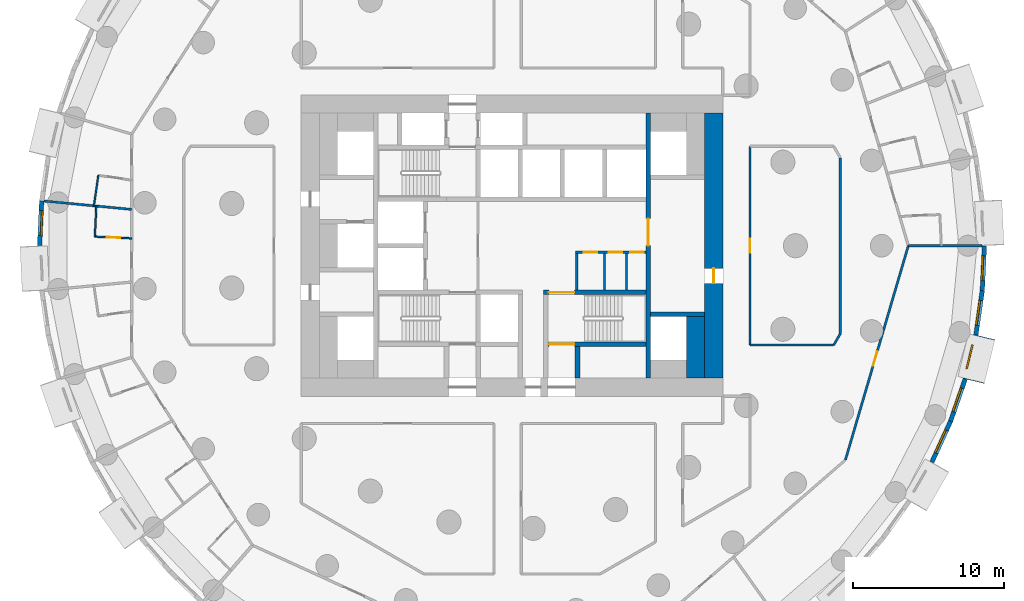
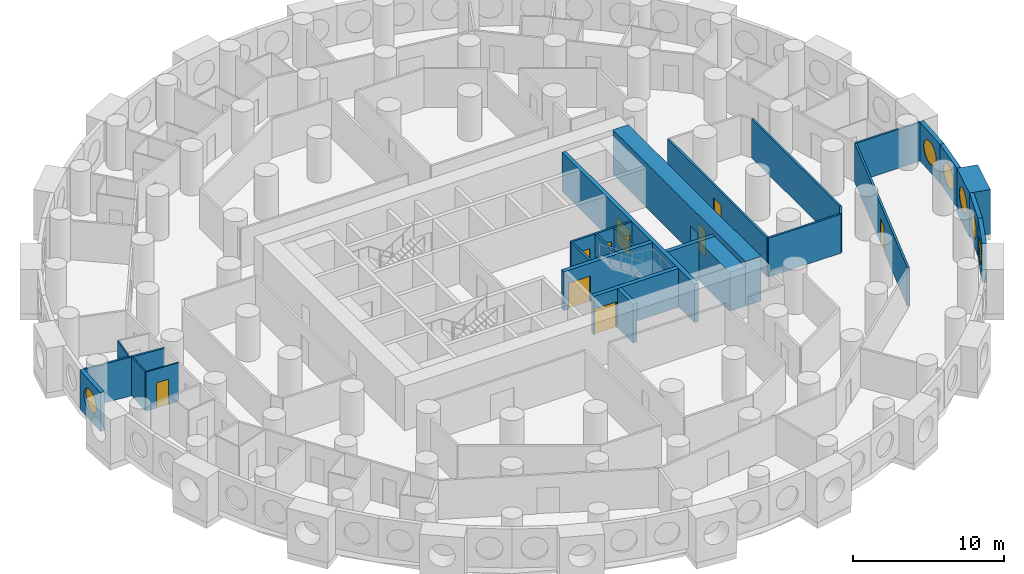
# One storey, part 6 of 12: 27 walls, 10 doors, 6 windows, 16 openings.
"""IFC4 building model written with IfcOpenShell, lengths in metres."""

from ifc_helpers import new_model, si_unit, direction, frame, frame_2d, origin, origin_2d, place, context, subcontext, project, spatial, rectangle, circle, extrude, material, layer, layer_set, type_object, element, fill, save


model = new_model("IFC4")

# Units and contexts
model_context = context("Model", 3, precision=1e-05, world=origin(), true_north=direction((0.0, 1.0)))
body_context = subcontext(model_context, "Body", "Model", "MODEL_VIEW")
ifc_project = project(units=[si_unit("LENGTHUNIT", "METRE"), si_unit("AREAUNIT", "SQUARE_METRE"), si_unit("VOLUMEUNIT", "CUBIC_METRE"), si_unit("PLANEANGLEUNIT", "RADIAN"), si_unit("MASSUNIT", "GRAM", prefix="KILO")], contexts=[model_context])

# Site, building, storey
site_placement = place(None, origin())
site = spatial("IfcSite", under=ifc_project, at=site_placement, CompositionType="ELEMENT")
building_placement = place(site_placement, origin())
building = spatial("IfcBuilding", under=site, at=building_placement, Name="Tracery Tower", CompositionType="ELEMENT")
storey_placement = place(building_placement, frame((0.0, 0.0, 28.199951171875)))
storey = spatial("IfcBuildingStorey", under=building, at=storey_placement, Name="L05", CompositionType="ELEMENT", Elevation=28.199951171875)

# Wall
ifc_material_1 = material(Name="Plasterboard on steel studs", Category="steel")
ifc_layer_1 = layer(ifc_material_1, 0.14990234375)
ifc_layer_set_1 = layer_set([ifc_layer_1], Name="Core room partition 150")
wall_type_1 = type_object("IfcWallType", Name="Core room partition 150", PredefinedType="SOLIDWALL", material=ifc_layer_set_1)
wall_1_placement = place(storey_placement, frame((4.300048828125, -2.949951171875, 0.0), z_axis=(0.0, 0.0, 1.0), x_axis=(0.0, 1.0, 0.0)))
element("IfcWall", 1, at=wall_1_placement, inside=storey, type_object=wall_type_1, Name="L05 slot W", PredefinedType="SOLIDWALL", context=body_context, shape_type="SweptSolid", body=[
    extrude(rectangle(XDim=2.449951171875, YDim=0.14990234375, at=frame_2d((1.22509765625, 0.0))), origin(), (0.0, 0.0, 1.0), 3.150146484375),
])

# Wall, openings, doors
wall_2_placement = place(storey_placement, frame((4.22509765625, -0.425048828125, 0.0), z_axis=(0.0, 0.0, 1.0), x_axis=(1.0, 0.0, 0.0)))
wall_2 = element("IfcWall", 2, at=wall_2_placement, inside=storey, type_object=wall_type_1, Name="L05 slot N", PredefinedType="SOLIDWALL", context=body_context, shape_type="SweptSolid", body=[
    extrude(rectangle(XDim=4.6748046875, YDim=0.14990234375, at=frame_2d((2.33740234375, 0.0))), origin(), (0.0, 0.0, 1.0), 3.150146484375),
])
opening_1_placement = place(wall_2_placement, frame((0.550048828125, 0.0, 0.0)))
opening_1 = element("IfcOpeningElement", 3, at=opening_1_placement, cuts=wall_2, Name="Opening KD22", PredefinedType="OPENING", context=body_context, shape_type="SweptSolid", body=[
    extrude(rectangle(XDim=0.89990234375, YDim=2.10009765625, at=frame_2d((0.449951171875, 1.050048828125))), frame((0.0, 0.074951171875, 0.0), z_axis=(0.0, -1.0, 0.0), x_axis=(1.0, 0.0, 0.0)), (0.0, 0.0, 1.0), 0.14990234375),
])
opening_2_placement = place(wall_2_placement, frame((2.199951171875, 0.0, 0.0)))
opening_2 = element("IfcOpeningElement", 4, at=opening_2_placement, cuts=wall_2, Name="Opening KD26", PredefinedType="OPENING", context=body_context, shape_type="SweptSolid", body=[
    extrude(rectangle(XDim=0.89990234375, YDim=2.10009765625, at=frame_2d((0.449951171875, 1.050048828125))), frame((0.0, 0.074951171875, 0.0), z_axis=(0.0, -1.0, 0.0), x_axis=(1.0, 0.0, 0.0)), (0.0, 0.0, 1.0), 0.14990234375),
])
opening_3_placement = place(wall_2_placement, frame((3.612548828125, 0.0, 0.0)))
opening_3 = element("IfcOpeningElement", 5, at=opening_3_placement, cuts=wall_2, Name="Opening KD27", PredefinedType="OPENING", context=body_context, shape_type="SweptSolid", body=[
    extrude(rectangle(XDim=0.89990234375, YDim=2.10009765625, at=frame_2d((0.449951171875, 1.050048828125))), frame((0.0, 0.074951171875, 0.0), z_axis=(0.0, -1.0, 0.0), x_axis=(1.0, 0.0, 0.0)), (0.0, 0.0, 1.0), 0.14990234375),
])
ifc_material_2 = material(Name="Timber door leaf", Category="wood")
door_type_1 = type_object("IfcDoorType", Name="Core WC door 900", OperationType="NOTDEFINED", PredefinedType="DOOR", material=ifc_material_2)
door_1_placement = place(opening_1_placement, origin())
door_1 = element("IfcDoor", 6, at=door_1_placement, inside=storey, type_object=door_type_1, Name="Core door", OperationType="SINGLE_SWING_RIGHT", OverallHeight=2.10009765625, OverallWidth=0.89990234375, PredefinedType="DOOR", context=body_context, shape_type="SweptSolid", body=[
    extrude(rectangle(XDim=0.89990234375, YDim=2.10009765625, at=frame_2d((0.449951171875, 1.050048828125))), frame((0.0, 0.02490234375, 0.0), z_axis=(0.0, -1.0, 0.0), x_axis=(1.0, 0.0, 0.0)), (0.0, 0.0, 1.0), 0.050048828125),
])
fill(opening_1, door_1)
ifc_material_3 = material(Name="Timber door leaf", Category="wood")
door_type_2 = type_object("IfcDoorType", Name="Core store door 900", OperationType="NOTDEFINED", PredefinedType="DOOR", material=ifc_material_3)
door_2_placement = place(opening_2_placement, origin())
door_2 = element("IfcDoor", 7, at=door_2_placement, inside=storey, type_object=door_type_2, Name="Core door", OperationType="SINGLE_SWING_LEFT", OverallHeight=2.10009765625, OverallWidth=0.89990234375, PredefinedType="DOOR", context=body_context, shape_type="SweptSolid", body=[
    extrude(rectangle(XDim=0.89990234375, YDim=2.10009765625, at=frame_2d((0.449951171875, 1.050048828125))), frame((0.0, 0.02490234375, 0.0), z_axis=(0.0, -1.0, 0.0), x_axis=(1.0, 0.0, 0.0)), (0.0, 0.0, 1.0), 0.050048828125),
])
fill(opening_2, door_2)
door_3_placement = place(opening_3_placement, origin())
door_3 = element("IfcDoor", 8, at=door_3_placement, inside=storey, type_object=door_type_2, Name="Core door", OperationType="SINGLE_SWING_RIGHT", OverallHeight=2.10009765625, OverallWidth=0.89990234375, PredefinedType="DOOR", context=body_context, shape_type="SweptSolid", body=[
    extrude(rectangle(XDim=0.89990234375, YDim=2.10009765625, at=frame_2d((0.449951171875, 1.050048828125))), frame((0.0, 0.02490234375, 0.0), z_axis=(0.0, -1.0, 0.0), x_axis=(1.0, 0.0, 0.0)), (0.0, 0.0, 1.0), 0.050048828125),
])
fill(opening_3, door_3)

# Walls
for number, where, z_axis, x_axis, name in (
    (9, (6.14990234375, -2.949951171875, 0.0), (0.0, 0.0, 1.0), (0.0, 1.0, 0.0), "L05 slot sep 1"),
    (10, (7.60009765625, -2.949951171875, 0.0), (0.0, 0.0, 1.0), (0.0, 1.0, 0.0), "L05 slot sep 2"),
):
    element("IfcWall", number, at=place(storey_placement, frame(where, z_axis=z_axis, x_axis=x_axis)), inside=storey, type_object=wall_type_1, Name=name, PredefinedType="SOLIDWALL", context=body_context, shape_type="SweptSolid", body=[
        extrude(rectangle(XDim=2.449951171875, YDim=0.14990234375, at=frame_2d((1.22509765625, 0.0))), origin(), (0.0, 0.0, 1.0), 3.150146484375),
    ])
ifc_material_4 = material(Name="Concrete C60/75", Category="concrete")
ifc_layer_2 = layer(ifc_material_4, 1.199951171875)
ifc_layer_set_2 = layer_set([ifc_layer_2], Name="Core strip wall 1200 C60")
wall_type_2 = type_object("IfcWallType", Name="Core strip wall 1200 C60", PredefinedType="SOLIDWALL", material=ifc_layer_set_2)
wall_3_placement = place(storey_placement, frame((12.199951171875, -8.800048828125, 0.0), z_axis=(0.0, 0.0, 1.0), x_axis=(0.0, 1.0, 0.0)))
element("IfcWall", 11, at=wall_3_placement, inside=storey, type_object=wall_type_2, Name="L05 wing strip +1 -9.4", PredefinedType="SOLIDWALL", context=body_context, shape_type="SweptSolid", body=[
    extrude(rectangle(XDim=4.10009765625, YDim=1.199951171875, at=frame_2d((2.050048828125, 0.0))), origin(), (0.0, 0.0, 1.0), 3.150146484375),
])

# Wall, opening, door
ifc_material_5 = material(Name="Concrete C60/75", Category="concrete")
ifc_layer_3 = layer(ifc_material_5, 1.199951171875)
ifc_layer_set_3 = layer_set([ifc_layer_3], Name="Core wall 1200 C60")
wall_type_3 = type_object("IfcWallType", Name="Core wall 1200 C60", PredefinedType="SOLIDWALL", material=ifc_layer_set_3)
wall_4_placement = place(storey_placement, frame((13.39990234375, -8.800048828125, 0.0), z_axis=(0.0, 0.0, 1.0), x_axis=(0.0, 1.0, 0.0)))
wall_4 = element("IfcWall", 12, at=wall_4_placement, inside=storey, type_object=wall_type_3, Name="L05 outer E", PredefinedType="SOLIDWALL", context=body_context, shape_type="SweptSolid", body=[
    extrude(rectangle(XDim=17.60009765625, YDim=1.199951171875, at=frame_2d((8.800048828125, 0.0))), origin(), (0.0, 0.0, 1.0), 3.60009765625),
])
opening_4_placement = place(wall_4_placement, frame((6.300048828125, 0.0, 0.0)))
opening_4 = element("IfcOpeningElement", 13, at=opening_4_placement, cuts=wall_4, Name="Opening KD18", PredefinedType="OPENING", context=body_context, shape_type="SweptSolid", body=[
    extrude(rectangle(XDim=1.0, YDim=2.10009765625, at=frame_2d((0.5, 1.050048828125))), frame((0.0, 0.60009765625, 0.0), z_axis=(0.0, -1.0, 0.0), x_axis=(1.0, 0.0, 0.0)), (0.0, 0.0, 1.0), 1.199951171875),
])
ifc_material_6 = material(Name="Steel fire door", Category="steel")
door_type_3 = type_object("IfcDoorType", Name="Core exit door 1000", OperationType="NOTDEFINED", PredefinedType="DOOR", material=ifc_material_6)
door_4_placement = place(opening_4_placement, origin())
door_4 = element("IfcDoor", 14, at=door_4_placement, inside=storey, type_object=door_type_3, Name="Core exit door", OperationType="DOUBLE_DOOR_SINGLE_SWING", OverallHeight=2.10009765625, OverallWidth=1.0, PredefinedType="DOOR", context=body_context, shape_type="SweptSolid", body=[
    extrude(rectangle(XDim=1.0, YDim=2.10009765625, at=frame_2d((0.5, 1.050048828125))), frame((0.0, 0.02490234375, 0.0), z_axis=(0.0, -1.0, 0.0), x_axis=(1.0, 0.0, 0.0)), (0.0, 0.0, 1.0), 0.050048828125),
])
fill(opening_4, door_4)

# Wall, opening, window
ifc_material_7 = material(Name="Precast concrete C50/60", Category="concrete")
ifc_layer_4 = layer(ifc_material_7, 1.449951171875)
ifc_layer_set_4 = layer_set([ifc_layer_4], Name="Deep-set bay unit 3000 x 3600, slab edge 450")
wall_type_4 = type_object("IfcWallType", Name="Deep-set bay unit 3000 x 3600, slab edge 450", PredefinedType="ELEMENTEDWALL", material=ifc_layer_set_4)
wall_5_placement = place(storey_placement, frame((30.66064453125, -8.981689453125, -0.449951171875), z_axis=(0.0, 0.0, 1.0), x_axis=(0.235751415068, 0.971813392732, 0.0)))
wall_5 = element("IfcWall", 15, at=wall_5_placement, inside=storey, type_object=wall_type_4, Name="Deep-set bay unit 64 at L05", PredefinedType="ELEMENTEDWALL", context=body_context, shape_type="SweptSolid", body=[
    extrude(rectangle(XDim=3.0, YDim=1.449951171875, at=frame_2d((1.5, 0.0))), origin(), (0.0, 0.0, 1.0), 3.60009765625),
])
opening_5_placement = place(wall_5_placement, frame((1.5, 0.0, 2.0)))
opening_5 = element("IfcOpeningElement", 16, at=opening_5_placement, cuts=wall_5, Name="Opening WN1", PredefinedType="OPENING", context=body_context, shape_type="SweptSolid", body=[
    extrude(circle(Radius=0.9000244140625, at=origin_2d()), frame((0.0, 0.73486328125, 0.0), z_axis=(0.0, -1.0, 0.0), x_axis=(1.0, 0.0, 0.0)), (0.0, 0.0, 1.0), 1.469970703125),
])
ifc_material_8 = material(Name="Aluminium frame with tinted double glazing", Category="aluminium")
window_type = type_object("IfcWindowType", Name="Round window 1800", PartitioningType="SINGLE_PANEL", PredefinedType="WINDOW", material=ifc_material_8)
window_1_placement = place(opening_5_placement, origin())
window_1 = element("IfcWindow", 17, at=window_1_placement, inside=storey, type_object=window_type, Name="Round window 64 at L05", OverallHeight=1.800048828125, OverallWidth=1.800048828125, PartitioningType="SINGLE_PANEL", PredefinedType="WINDOW", context=body_context, shape_type="SweptSolid", body=[
    extrude(circle(Radius=0.9000244140625, at=origin_2d()), frame((0.0, 0.69482421875, 0.0), z_axis=(0.0, -1.0, 0.0), x_axis=(1.0, 0.0, 0.0)), (0.0, 0.0, 1.0), 0.10009765625),
])
fill(opening_5, window_1)

ifc_material_9 = material(Name="Precast concrete C50/60", Category="concrete")
ifc_layer_5 = layer(ifc_material_9, 0.300048828125)
ifc_layer_set_5 = layer_set([ifc_layer_5], Name="Facade panel 3000 x 3150")
wall_type_5 = type_object("IfcWallType", Name="Facade panel 3000 x 3150", PredefinedType="SOLIDWALL", material=ifc_layer_set_5)
wall_6_placement = place(storey_placement, frame((-31.232421875, 2.982421875, 0.0), z_axis=(0.0, 0.0, 1.0), x_axis=(-0.047522328113, -0.998870175914, 0.0)))
wall_6 = element("IfcWall", 18, at=wall_6_placement, inside=storey, type_object=wall_type_5, Name="Facade panel 33 at L05", PredefinedType="SOLIDWALL", context=body_context, shape_type="SweptSolid", body=[
    extrude(rectangle(XDim=2.979736328125, YDim=0.300048828125, at=frame_2d((1.48974609375, 0.0))), origin(), (0.0, 0.0, 1.0), 3.150146484375),
])
opening_6_placement = place(wall_6_placement, frame((1.48974609375, 0.0, 1.5498046875)))
opening_6 = element("IfcOpeningElement", 19, at=opening_6_placement, cuts=wall_6, Name="Opening WN1", PredefinedType="OPENING", context=body_context, shape_type="SweptSolid", body=[
    extrude(circle(Radius=0.9000244140625, at=origin_2d()), frame((0.0, 0.159912109375, 0.0), z_axis=(0.0, -1.0, 0.0), x_axis=(1.0, 0.0, 0.0)), (0.0, 0.0, 1.0), 0.320068359375),
])
window_2_placement = place(opening_6_placement, origin())
window_2 = element("IfcWindow", 20, at=window_2_placement, inside=storey, type_object=window_type, Name="Round window 33 at L05", OverallHeight=1.800048828125, OverallWidth=1.800048828125, PartitioningType="SINGLE_PANEL", PredefinedType="WINDOW", context=body_context, shape_type="SweptSolid", body=[
    extrude(circle(Radius=0.9000244140625, at=origin_2d()), frame((0.0, 0.1201171875, 0.0), z_axis=(0.0, -1.0, 0.0), x_axis=(1.0, 0.0, 0.0)), (0.0, 0.0, 1.0), 0.10009765625),
])
fill(opening_6, window_2)

wall_7_placement = place(storey_placement, frame((27.88916015625, -14.37109375, 0.0), z_axis=(0.0, 0.0, 1.0), x_axis=(0.415407317162, 0.909635509888, 0.0)))
wall_7 = element("IfcWall", 21, at=wall_7_placement, inside=storey, type_object=wall_type_5, Name="Facade panel 62 at L05", PredefinedType="SOLIDWALL", context=body_context, shape_type="SweptSolid", body=[
    extrude(rectangle(XDim=2.979736328125, YDim=0.300048828125, at=frame_2d((1.48974609375, 0.0))), origin(), (0.0, 0.0, 1.0), 3.150146484375),
])
opening_7_placement = place(wall_7_placement, frame((1.48974609375, 0.0, 1.5498046875)))
opening_7 = element("IfcOpeningElement", 22, at=opening_7_placement, cuts=wall_7, Name="Opening WN1", PredefinedType="OPENING", context=body_context, shape_type="SweptSolid", body=[
    extrude(circle(Radius=0.9000244140625, at=origin_2d()), frame((0.0, 0.159912109375, 0.0), z_axis=(0.0, -1.0, 0.0), x_axis=(1.0, 0.0, 0.0)), (0.0, 0.0, 1.0), 0.320068359375),
])
window_3_placement = place(opening_7_placement, origin())
window_3 = element("IfcWindow", 23, at=window_3_placement, inside=storey, type_object=window_type, Name="Round window 62 at L05", OverallHeight=1.800048828125, OverallWidth=1.800048828125, PartitioningType="SINGLE_PANEL", PredefinedType="WINDOW", context=body_context, shape_type="SweptSolid", body=[
    extrude(circle(Radius=0.9000244140625, at=origin_2d()), frame((0.0, 0.1201171875, 0.0), z_axis=(0.0, -1.0, 0.0), x_axis=(1.0, 0.0, 0.0)), (0.0, 0.0, 1.0), 0.10009765625),
])
fill(opening_7, window_3)

wall_8_placement = place(storey_placement, frame((29.126953125, -11.66064453125, 0.0), z_axis=(0.0, 0.0, 1.0), x_axis=(0.327096492592, 0.944990944154, 0.0)))
wall_8 = element("IfcWall", 24, at=wall_8_placement, inside=storey, type_object=wall_type_5, Name="Facade panel 63 at L05", PredefinedType="SOLIDWALL", context=body_context, shape_type="SweptSolid", body=[
    extrude(rectangle(XDim=2.9794921875, YDim=0.300048828125, at=frame_2d((1.48974609375, 0.0))), origin(), (0.0, 0.0, 1.0), 3.150146484375),
])
opening_8_placement = place(wall_8_placement, frame((1.48974609375, 0.0, 1.5498046875)))
opening_8 = element("IfcOpeningElement", 25, at=opening_8_placement, cuts=wall_8, Name="Opening WN1", PredefinedType="OPENING", context=body_context, shape_type="SweptSolid", body=[
    extrude(circle(Radius=0.9000244140625, at=origin_2d()), frame((0.0, 0.159912109375, 0.0), z_axis=(0.0, -1.0, 0.0), x_axis=(1.0, 0.0, 0.0)), (0.0, 0.0, 1.0), 0.320068359375),
])
window_4_placement = place(opening_8_placement, origin())
window_4 = element("IfcWindow", 26, at=window_4_placement, inside=storey, type_object=window_type, Name="Round window 63 at L05", OverallHeight=1.800048828125, OverallWidth=1.800048828125, PartitioningType="SINGLE_PANEL", PredefinedType="WINDOW", context=body_context, shape_type="SweptSolid", body=[
    extrude(circle(Radius=0.9000244140625, at=origin_2d()), frame((0.0, 0.1201171875, 0.0), z_axis=(0.0, -1.0, 0.0), x_axis=(1.0, 0.0, 0.0)), (0.0, 0.0, 1.0), 0.10009765625),
])
fill(opening_8, window_4)

wall_9_placement = place(storey_placement, frame((30.808349609375, -5.931640625, 0.0), z_axis=(0.0, 0.0, 1.0), x_axis=(0.142327539111, 0.989819615693, 0.0)))
wall_9 = element("IfcWall", 27, at=wall_9_placement, inside=storey, type_object=wall_type_5, Name="Facade panel 65 at L05", PredefinedType="SOLIDWALL", context=body_context, shape_type="SweptSolid", body=[
    extrude(rectangle(XDim=2.9794921875, YDim=0.300048828125, at=frame_2d((1.48974609375, 0.0))), origin(), (0.0, 0.0, 1.0), 3.150146484375),
])
opening_9_placement = place(wall_9_placement, frame((1.48974609375, 0.0, 1.5498046875)))
opening_9 = element("IfcOpeningElement", 28, at=opening_9_placement, cuts=wall_9, Name="Opening WN1", PredefinedType="OPENING", context=body_context, shape_type="SweptSolid", body=[
    extrude(circle(Radius=0.9000244140625, at=origin_2d()), frame((0.0, 0.159912109375, 0.0), z_axis=(0.0, -1.0, 0.0), x_axis=(1.0, 0.0, 0.0)), (0.0, 0.0, 1.0), 0.320068359375),
])
window_5_placement = place(opening_9_placement, origin())
window_5 = element("IfcWindow", 29, at=window_5_placement, inside=storey, type_object=window_type, Name="Round window 65 at L05", OverallHeight=1.800048828125, OverallWidth=1.800048828125, PartitioningType="SINGLE_PANEL", PredefinedType="WINDOW", context=body_context, shape_type="SweptSolid", body=[
    extrude(circle(Radius=0.9000244140625, at=origin_2d()), frame((0.0, 0.1201171875, 0.0), z_axis=(0.0, -1.0, 0.0), x_axis=(1.0, 0.0, 0.0)), (0.0, 0.0, 1.0), 0.10009765625),
])
fill(opening_9, window_5)

wall_10_placement = place(storey_placement, frame((31.232421875, -2.982421875, 0.0), z_axis=(0.0, 0.0, 1.0), x_axis=(0.047522328113, 0.998870175914, 0.0)))
wall_10 = element("IfcWall", 30, at=wall_10_placement, inside=storey, type_object=wall_type_5, Name="Facade panel 66 at L05", PredefinedType="SOLIDWALL", context=body_context, shape_type="SweptSolid", body=[
    extrude(rectangle(XDim=2.979736328125, YDim=0.300048828125, at=frame_2d((1.48974609375, 0.0))), origin(), (0.0, 0.0, 1.0), 3.150146484375),
])
opening_10_placement = place(wall_10_placement, frame((1.48974609375, 0.0, 1.5498046875)))
opening_10 = element("IfcOpeningElement", 31, at=opening_10_placement, cuts=wall_10, Name="Opening WN1", PredefinedType="OPENING", context=body_context, shape_type="SweptSolid", body=[
    extrude(circle(Radius=0.9000244140625, at=origin_2d()), frame((0.0, 0.159912109375, 0.0), z_axis=(0.0, -1.0, 0.0), x_axis=(1.0, 0.0, 0.0)), (0.0, 0.0, 1.0), 0.320068359375),
])
window_6_placement = place(opening_10_placement, origin())
window_6 = element("IfcWindow", 32, at=window_6_placement, inside=storey, type_object=window_type, Name="Round window 66 at L05", OverallHeight=1.800048828125, OverallWidth=1.800048828125, PartitioningType="SINGLE_PANEL", PredefinedType="WINDOW", context=body_context, shape_type="SweptSolid", body=[
    extrude(circle(Radius=0.9000244140625, at=origin_2d()), frame((0.0, 0.1201171875, 0.0), z_axis=(0.0, -1.0, 0.0), x_axis=(1.0, 0.0, 0.0)), (0.0, 0.0, 1.0), 0.10009765625),
])
fill(opening_10, window_6)

# Walls
ifc_material_10 = material(Name="Plasterboard on steel studs", Category="steel")
ifc_layer_6 = layer(ifc_material_10, 0.10009765625)
ifc_layer_set_6 = layer_set([ifc_layer_6], Name="Partition 100 wet wall")
wall_type_6 = type_object("IfcWallType", Name="Partition 100 wet wall", PredefinedType="PARTITIONING", material=ifc_layer_set_6)
wall_11_placement = place(storey_placement, frame((-27.761962890625, 2.65087890625, 0.0), z_axis=(0.0, 0.0, 1.0), x_axis=(0.142124766346, 0.989848751472, 0.0)))
element("IfcWall", 33, at=wall_11_placement, inside=storey, type_object=wall_type_6, Name="Wet wall RA1-095", PredefinedType="PARTITIONING", context=body_context, shape_type="SweptSolid", body=[
    extrude(rectangle(XDim=2.040771484375, YDim=0.10009765625, at=frame_2d((1.0205078125, 0.0))), origin(), (0.0, 0.0, 1.0), 3.150146484375),
])
wall_12_placement = place(storey_placement, frame((-27.701904296875, 0.60498046875, 0.0), z_axis=(0.0, 0.0, 1.0), x_axis=(0.047667833557, 0.998863242713, 0.0)))
element("IfcWall", 34, at=wall_12_placement, inside=storey, type_object=wall_type_6, Name="Wet wall RA1-097", PredefinedType="PARTITIONING", context=body_context, shape_type="SweptSolid", body=[
    extrude(rectangle(XDim=2.033203125, YDim=0.10009765625, at=frame_2d((1.0166015625, 0.0))), origin(), (0.0, 0.0, 1.0), 3.150146484375),
])

# Wall, opening, door
wall_13_placement = place(storey_placement, frame((-27.701904296875, 0.60498046875, 0.0), z_axis=(0.0, 0.0, 1.0), x_axis=(0.998861820864, -0.047697618602, 0.0)))
wall_13 = element("IfcWall", 35, at=wall_13_placement, inside=storey, type_object=wall_type_6, Name="Wet wall RA1-098", PredefinedType="PARTITIONING", context=body_context, shape_type="SweptSolid", body=[
    extrude(rectangle(XDim=2.45166015625, YDim=0.10009765625, at=frame_2d((1.225830078125, 0.0))), origin(), (0.0, 0.0, 1.0), 3.150146484375),
])
opening_11_placement = place(wall_13_placement, frame((0.77587890625, 0.0, 0.0)))
opening_11 = element("IfcOpeningElement", 36, at=opening_11_placement, cuts=wall_13, Name="Opening RA1-35", PredefinedType="OPENING", context=body_context, shape_type="SweptSolid", body=[
    extrude(rectangle(XDim=0.89990234375, YDim=2.0400390625, at=frame_2d((0.449951171875, 1.02001953125))), frame((0.0, 0.050048828125, 0.0), z_axis=(0.0, -1.0, 0.0), x_axis=(1.0, 0.0, 0.0)), (0.0, 0.0, 1.0), 0.10009765625),
])
ifc_material_11 = material(Name="Timber door leaf", Category="wood")
door_type_4 = type_object("IfcDoorType", Name="Door en-suite 900", OperationType="NOTDEFINED", PredefinedType="DOOR", material=ifc_material_11)
door_5_placement = place(opening_11_placement, origin())
door_5 = element("IfcDoor", 37, at=door_5_placement, inside=storey, type_object=door_type_4, Name="En-suite door RA1-35", OperationType="SINGLE_SWING_RIGHT", OverallHeight=2.0400390625, OverallWidth=0.89990234375, PredefinedType="DOOR", context=body_context, shape_type="SweptSolid", body=[
    extrude(rectangle(XDim=0.89990234375, YDim=2.0400390625, at=frame_2d((0.449951171875, 1.02001953125))), frame((0.0, 0.02490234375, 0.0), z_axis=(0.0, -1.0, 0.0), x_axis=(1.0, 0.0, 0.0)), (0.0, 0.0, 1.0), 0.050048828125),
])
fill(opening_11, door_5)

# Walls
ifc_material_12 = material(Name="Plasterboard on steel studs", Category="steel")
ifc_layer_7 = layer(ifc_material_12, 0.14990234375)
ifc_layer_set_7 = layer_set([ifc_layer_7], Name="Partition 150 acoustic unit wall")
wall_type_7 = type_object("IfcWallType", Name="Partition 150 acoustic unit wall", PredefinedType="PARTITIONING", material=ifc_layer_set_7)
wall_14_placement = place(storey_placement, frame((26.319091796875, 0.0, 0.0), z_axis=(0.0, 0.0, 1.0), x_axis=(1.0, 0.0, 0.0)))
element("IfcWall", 38, at=wall_14_placement, inside=storey, type_object=wall_type_7, Name="Unit wall RA1-061", PredefinedType="PARTITIONING", context=body_context, shape_type="SweptSolid", body=[
    extrude(rectangle(XDim=4.905029296875, YDim=0.14990234375, at=frame_2d((2.45263671875, 0.0))), origin(), (0.0, 0.0, 1.0), 3.150146484375),
])
wall_15_placement = place(storey_placement, frame((-31.0830078125, 2.968017578125, 0.0), z_axis=(0.0, 0.0, 1.0), x_axis=(0.995476905331, -0.095003847037, 0.0)))
element("IfcWall", 39, at=wall_15_placement, inside=storey, type_object=wall_type_7, Name="Unit wall RA1-096", PredefinedType="PARTITIONING", context=body_context, shape_type="SweptSolid", body=[
    extrude(rectangle(XDim=5.856689453125, YDim=0.14990234375, at=frame_2d((2.92822265625, 0.0))), origin(), (0.0, 0.0, 1.0), 3.150146484375),
])

# Wall, opening, door
ifc_material_13 = material(Name="Plasterboard on steel studs", Category="steel")
ifc_layer_8 = layer(ifc_material_13, 0.14990234375)
ifc_layer_set_8 = layer_set([ifc_layer_8], Name="Partition 150 corridor wall")
wall_type_8 = type_object("IfcWallType", Name="Partition 150 corridor wall", PredefinedType="PARTITIONING", material=ifc_layer_set_8)
wall_16_placement = place(storey_placement, frame((15.800048828125, -6.60400390625, 0.0), z_axis=(0.0, 0.0, 1.0), x_axis=(0.0, 1.0, 0.0)))
wall_16 = element("IfcWall", 40, at=wall_16_placement, inside=storey, type_object=wall_type_8, Name="Corridor wall RA1-011", PredefinedType="PARTITIONING", context=body_context, shape_type="SweptSolid", body=[
    extrude(rectangle(XDim=13.2080078125, YDim=0.14990234375, at=frame_2d((6.60400390625, 0.0))), origin(), (0.0, 0.0, 1.0), 3.150146484375),
])
opening_12_placement = place(wall_16_placement, frame((6.12890625, 0.0, 0.0)))
opening_12 = element("IfcOpeningElement", 41, at=opening_12_placement, cuts=wall_16, Name="Opening RA1-07", PredefinedType="OPENING", context=body_context, shape_type="SweptSolid", body=[
    extrude(rectangle(XDim=0.949951171875, YDim=2.10009765625, at=frame_2d((0.47509765625, 1.050048828125))), frame((0.0, 0.074951171875, 0.0), z_axis=(0.0, -1.0, 0.0), x_axis=(1.0, 0.0, 0.0)), (0.0, 0.0, 1.0), 0.14990234375),
])
ifc_material_14 = material(Name="Timber door leaf", Category="wood")
door_type_5 = type_object("IfcDoorType", Name="Door store 950", OperationType="NOTDEFINED", PredefinedType="DOOR", material=ifc_material_14)
door_6_placement = place(opening_12_placement, origin())
door_6 = element("IfcDoor", 42, at=door_6_placement, inside=storey, type_object=door_type_5, Name="Store door RA1-07", OperationType="SINGLE_SWING_LEFT", OverallHeight=2.10009765625, OverallWidth=0.949951171875, PredefinedType="DOOR", context=body_context, shape_type="SweptSolid", body=[
    extrude(rectangle(XDim=0.949951171875, YDim=2.10009765625, at=frame_2d((0.47509765625, 1.050048828125))), frame((0.0, 0.02490234375, 0.0), z_axis=(0.0, -1.0, 0.0), x_axis=(1.0, 0.0, 0.0)), (0.0, 0.0, 1.0), 0.050048828125),
])
fill(opening_12, door_6)

# Walls
wall_17_placement = place(storey_placement, frame((15.800048828125, -6.60009765625, 0.0), z_axis=(0.0, 0.0, 1.0), x_axis=(1.0, 0.0, 0.0)))
element("IfcWall", 43, at=wall_17_placement, inside=storey, type_object=wall_type_8, Name="Corridor wall RA1-015", PredefinedType="PARTITIONING", context=body_context, shape_type="SweptSolid", body=[
    extrude(rectangle(XDim=5.56396484375, YDim=0.14990234375, at=frame_2d((2.781982421875, 0.0))), origin(), (0.0, 0.0, 1.0), 3.150146484375),
])
wall_18_placement = place(storey_placement, frame((21.364013671875, -6.60009765625, 0.0), z_axis=(0.0, 0.0, 1.0), x_axis=(0.500277597875, 0.865865073245, 0.0)))
element("IfcWall", 44, at=wall_18_placement, inside=storey, type_object=wall_type_8, Name="Corridor wall RA1-016", PredefinedType="PARTITIONING", context=body_context, shape_type="SweptSolid", body=[
    extrude(rectangle(XDim=0.87548828125, YDim=0.14990234375, at=frame_2d((0.437744140625, 0.0))), origin(), (0.0, 0.0, 1.0), 3.150146484375),
])
wall_19_placement = place(storey_placement, frame((21.802001953125, -5.842041015625, 0.0), z_axis=(0.0, 0.0, 1.0), x_axis=(0.0, 1.0, 0.0)))
element("IfcWall", 45, at=wall_19_placement, inside=storey, type_object=wall_type_8, Name="Corridor wall RA1-017", PredefinedType="PARTITIONING", context=body_context, shape_type="SweptSolid", body=[
    extrude(rectangle(XDim=11.68408203125, YDim=0.14990234375, at=frame_2d((5.842041015625, 0.0))), origin(), (0.0, 0.0, 1.0), 3.150146484375),
])

# Wall, opening, door
wall_20_placement = place(storey_placement, frame((22.14111328125, -14.22900390625, 0.0), z_axis=(0.0, 0.0, 1.0), x_axis=(0.281730446162, 0.959493593363, 0.0)))
wall_20 = element("IfcWall", 46, at=wall_20_placement, inside=storey, type_object=wall_type_8, Name="Corridor wall RA1-022", PredefinedType="PARTITIONING", context=body_context, shape_type="SweptSolid", body=[
    extrude(rectangle(XDim=14.82958984375, YDim=0.14990234375, at=frame_2d((7.414794921875, 0.0))), origin(), (0.0, 0.0, 1.0), 3.150146484375),
])
opening_13_placement = place(wall_20_placement, frame((6.5146484375, 0.0, 0.0)))
opening_13 = element("IfcOpeningElement", 47, at=opening_13_placement, cuts=wall_20, Name="Opening RA1-48", PredefinedType="OPENING", context=body_context, shape_type="SweptSolid", body=[
    extrude(rectangle(XDim=1.0, YDim=2.0400390625, at=frame_2d((0.5, 1.02001953125))), frame((0.0, 0.074951171875, 0.0), z_axis=(0.0, -1.0, 0.0), x_axis=(1.0, 0.0, 0.0)), (0.0, 0.0, 1.0), 0.14990234375),
])
ifc_material_15 = material(Name="Timber door leaf", Category="wood")
door_type_6 = type_object("IfcDoorType", Name="Door communal room 1000", OperationType="NOTDEFINED", PredefinedType="DOOR", material=ifc_material_15)
door_7_placement = place(opening_13_placement, origin())
door_7 = element("IfcDoor", 48, at=door_7_placement, inside=storey, type_object=door_type_6, Name="Communal room door RA1-48", OperationType="SINGLE_SWING_RIGHT", OverallHeight=2.0400390625, OverallWidth=1.0, PredefinedType="DOOR", context=body_context, shape_type="SweptSolid", body=[
    extrude(rectangle(XDim=1.0, YDim=2.0400390625, at=frame_2d((0.5, 1.02001953125))), frame((0.0, 0.02490234375, 0.0), z_axis=(0.0, -1.0, 0.0), x_axis=(1.0, 0.0, 0.0)), (0.0, 0.0, 1.0), 0.050048828125),
])
fill(opening_13, door_7)

# Walls
ifc_material_16 = material(Name="Concrete C60/75", Category="concrete")
ifc_layer_9 = layer(ifc_material_16, 0.300048828125)
ifc_layer_set_9 = layer_set([ifc_layer_9], Name="Shaft wall 300 C60")
wall_type_9 = type_object("IfcWallType", Name="Shaft wall 300 C60", PredefinedType="SOLIDWALL", material=ifc_layer_set_9)
wall_21_placement = place(storey_placement, frame((4.35009765625, -8.800048828125, 0.0), z_axis=(0.0, 0.0, 1.0), x_axis=(0.0, 1.0, 0.0)))
element("IfcWall", 49, at=wall_21_placement, inside=storey, type_object=wall_type_9, Name="L05 band S +4.35", PredefinedType="SOLIDWALL", context=body_context, shape_type="SweptSolid", body=[
    extrude(rectangle(XDim=2.10009765625, YDim=0.300048828125, at=frame_2d((1.050048828125, 0.0))), origin(), (0.0, 0.0, 1.0), 3.150146484375),
])
wall_22_placement = place(storey_placement, frame((9.199951171875, -4.550048828125, 0.0), z_axis=(0.0, 0.0, 1.0), x_axis=(1.0, 0.0, 0.0)))
element("IfcWall", 50, at=wall_22_placement, inside=storey, type_object=wall_type_9, Name="L05 wing shaft wall +1 -4.55", PredefinedType="SOLIDWALL", context=body_context, shape_type="SweptSolid", body=[
    extrude(rectangle(XDim=3.60009765625, YDim=0.300048828125, at=frame_2d((1.800048828125, 0.0))), origin(), (0.0, 0.0, 1.0), 3.150146484375),
])

# Wall, opening, door
ifc_material_17 = material(Name="Concrete C60/75", Category="concrete")
ifc_layer_10 = layer(ifc_material_17, 0.300048828125)
ifc_layer_set_10 = layer_set([ifc_layer_10], Name="Stair wall 300 C60")
wall_type_10 = type_object("IfcWallType", Name="Stair wall 300 C60", PredefinedType="SOLIDWALL", material=ifc_layer_set_10)
wall_23_placement = place(storey_placement, frame((2.10009765625, -3.10009765625, 0.0), z_axis=(0.0, 0.0, 1.0), x_axis=(1.0, 0.0, 0.0)))
wall_23 = element("IfcWall", 51, at=wall_23_placement, inside=storey, type_object=wall_type_10, Name="L05 row S E", PredefinedType="SOLIDWALL", context=body_context, shape_type="SweptSolid", body=[
    extrude(rectangle(XDim=6.7998046875, YDim=0.300048828125, at=frame_2d((3.39990234375, 0.0))), origin(), (0.0, 0.0, 1.0), 3.150146484375),
])
opening_14_placement = place(wall_23_placement, frame((0.35009765625, 0.0, 0.0)))
opening_14 = element("IfcOpeningElement", 52, at=opening_14_placement, cuts=wall_23, Name="Opening KD3", PredefinedType="OPENING", context=body_context, shape_type="SweptSolid", body=[
    extrude(rectangle(XDim=1.699951171875, YDim=2.10009765625, at=frame_2d((0.85009765625, 1.050048828125))), frame((0.0, 0.14990234375, 0.0), z_axis=(0.0, -1.0, 0.0), x_axis=(1.0, 0.0, 0.0)), (0.0, 0.0, 1.0), 0.300048828125),
])
ifc_material_18 = material(Name="Steel fire door", Category="steel")
door_type_7 = type_object("IfcDoorType", Name="Core stair door 1700 double", OperationType="NOTDEFINED", PredefinedType="DOOR", material=ifc_material_18)
door_8_placement = place(opening_14_placement, origin())
door_8 = element("IfcDoor", 53, at=door_8_placement, inside=storey, type_object=door_type_7, Name="Stair door ST2", OperationType="DOUBLE_DOOR_SINGLE_SWING", OverallHeight=2.10009765625, OverallWidth=1.699951171875, PredefinedType="DOOR", context=body_context, shape_type="SweptSolid", body=[
    extrude(rectangle(XDim=1.699951171875, YDim=2.10009765625, at=frame_2d((0.85009765625, 1.050048828125))), frame((0.0, 0.02490234375, 0.0), z_axis=(0.0, -1.0, 0.0), x_axis=(1.0, 0.0, 0.0)), (0.0, 0.0, 1.0), 0.050048828125),
])
fill(opening_14, door_8)

wall_24_placement = place(storey_placement, frame((9.050048828125, -8.800048828125, 0.0), z_axis=(0.0, 0.0, 1.0), x_axis=(0.0, 1.0, 0.0)))
wall_24 = element("IfcWall", 54, at=wall_24_placement, inside=storey, type_object=wall_type_10, Name="L05 F wall +9", PredefinedType="SOLIDWALL", context=body_context, shape_type="SweptSolid", body=[
    extrude(rectangle(XDim=17.60009765625, YDim=0.300048828125, at=frame_2d((8.800048828125, 0.0))), origin(), (0.0, 0.0, 1.0), 3.150146484375),
])
opening_15_placement = place(wall_24_placement, frame((8.800048828125, 0.0, 0.0)))
opening_15 = element("IfcOpeningElement", 55, at=opening_15_placement, cuts=wall_24, Name="Opening KD13", PredefinedType="OPENING", context=body_context, shape_type="SweptSolid", body=[
    extrude(rectangle(XDim=1.800048828125, YDim=2.10009765625, at=frame_2d((0.89990234375, 1.050048828125))), frame((0.0, 0.14990234375, 0.0), z_axis=(0.0, -1.0, 0.0), x_axis=(1.0, 0.0, 0.0)), (0.0, 0.0, 1.0), 0.300048828125),
])
ifc_material_19 = material(Name="Steel fire door", Category="steel")
door_type_8 = type_object("IfcDoorType", Name="Core exit door 1800 double", OperationType="NOTDEFINED", PredefinedType="DOOR", material=ifc_material_19)
door_9_placement = place(opening_15_placement, origin())
door_9 = element("IfcDoor", 56, at=door_9_placement, inside=storey, type_object=door_type_8, Name="Core exit door", OperationType="DOUBLE_DOOR_SINGLE_SWING", OverallHeight=2.10009765625, OverallWidth=1.800048828125, PredefinedType="DOOR", context=body_context, shape_type="SweptSolid", body=[
    extrude(rectangle(XDim=1.800048828125, YDim=2.10009765625, at=frame_2d((0.89990234375, 1.050048828125))), frame((0.0, 0.02490234375, 0.0), z_axis=(0.0, -1.0, 0.0), x_axis=(1.0, 0.0, 0.0)), (0.0, 0.0, 1.0), 0.050048828125),
])
fill(opening_15, door_9)

wall_25_placement = place(storey_placement, frame((2.39990234375, -6.550048828125, 0.0), z_axis=(0.0, 0.0, 1.0), x_axis=(1.0, 0.0, 0.0)))
wall_25 = element("IfcWall", 57, at=wall_25_placement, inside=storey, type_object=wall_type_10, Name="L05 F S E", PredefinedType="SOLIDWALL", context=body_context, shape_type="SweptSolid", body=[
    extrude(rectangle(XDim=6.5, YDim=0.300048828125, at=frame_2d((3.25, 0.0))), origin(), (0.0, 0.0, 1.0), 3.150146484375),
])
opening_16_placement = place(wall_25_placement, frame((0.050048828125, 0.0, 0.0)))
opening_16 = element("IfcOpeningElement", 58, at=opening_16_placement, cuts=wall_25, Name="Opening KD3", PredefinedType="OPENING", context=body_context, shape_type="SweptSolid", body=[
    extrude(rectangle(XDim=1.699951171875, YDim=2.10009765625, at=frame_2d((0.85009765625, 1.050048828125))), frame((0.0, 0.14990234375, 0.0), z_axis=(0.0, -1.0, 0.0), x_axis=(1.0, 0.0, 0.0)), (0.0, 0.0, 1.0), 0.300048828125),
])
door_10_placement = place(opening_16_placement, origin())
door_10 = element("IfcDoor", 59, at=door_10_placement, inside=storey, type_object=door_type_7, Name="Stair door ST2 S", OperationType="DOUBLE_DOOR_SINGLE_SWING", OverallHeight=2.10009765625, OverallWidth=1.699951171875, PredefinedType="DOOR", context=body_context, shape_type="SweptSolid", body=[
    extrude(rectangle(XDim=1.699951171875, YDim=2.10009765625, at=frame_2d((0.85009765625, 1.050048828125))), frame((0.0, 0.02490234375, 0.0), z_axis=(0.0, -1.0, 0.0), x_axis=(1.0, 0.0, 0.0)), (0.0, 0.0, 1.0), 0.050048828125),
])
fill(opening_16, door_10)

save(model, "model.ifc")
